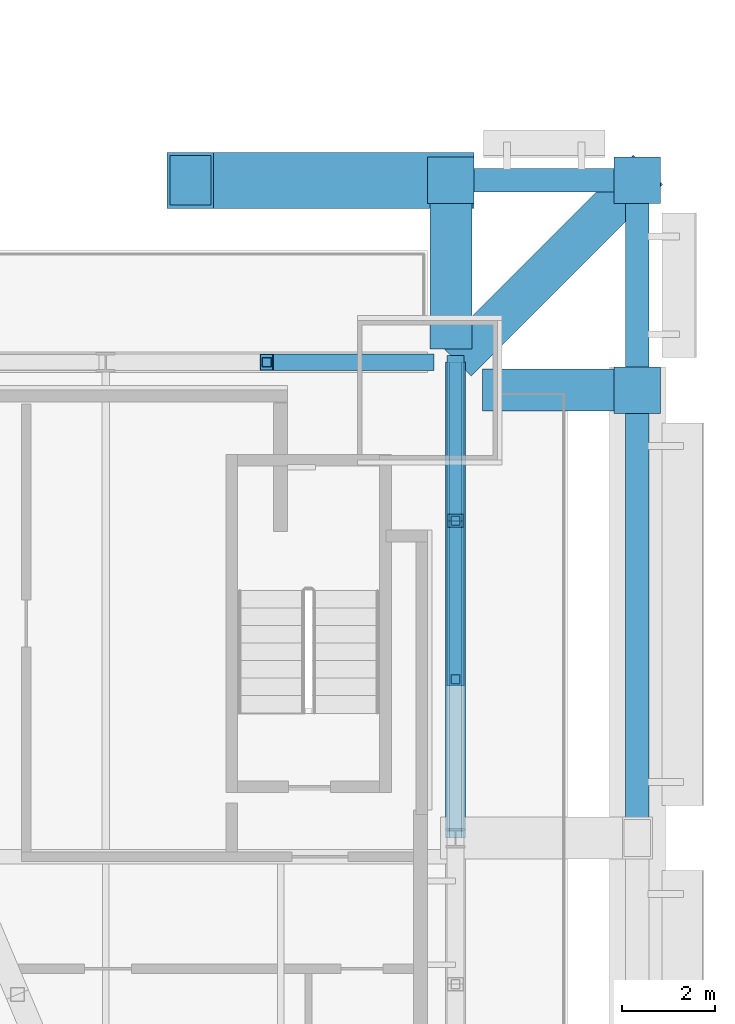
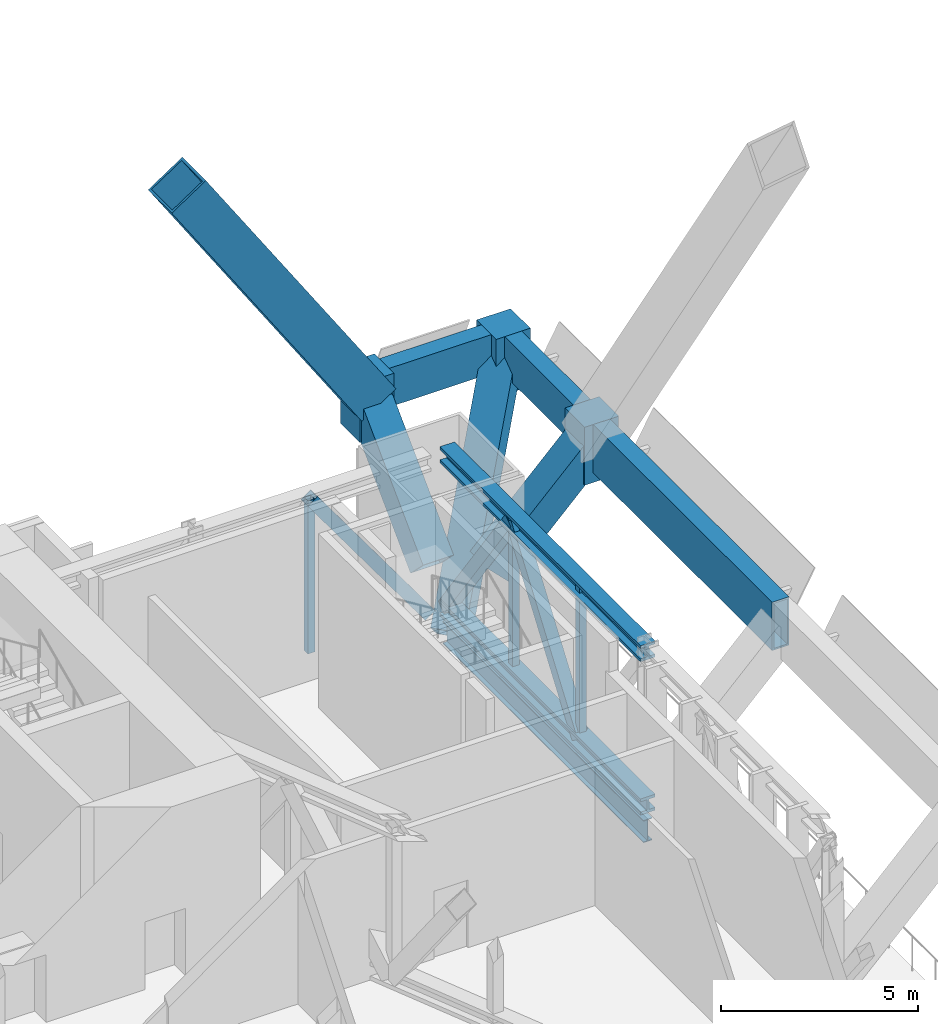
# One storey, part 20 of 32: 15 members, 4 beams.
"""IFC4 building model written with IfcOpenShell, lengths in metres."""

from ifc_helpers import new_model, si_unit, direction, frame, origin, origin_2d, place, context, subcontext, project, spatial, rectangle, hollow_rectangle, i_section, extrude, material, material_profile, profile_set, type_object, element, save


model = new_model("IFC4")

# Units and contexts
model_context = context("Model", 3, precision=1e-05, world=origin(), true_north=direction((0.0, 1.0)))
body_context = subcontext(model_context, "Body", "Model", "MODEL_VIEW")
ifc_project = project(units=[si_unit("LENGTHUNIT", "METRE"), si_unit("AREAUNIT", "SQUARE_METRE"), si_unit("VOLUMEUNIT", "CUBIC_METRE"), si_unit("PLANEANGLEUNIT", "RADIAN"), si_unit("MASSUNIT", "GRAM", prefix="KILO")], contexts=[model_context])

# Site, building, storey
site_placement = place(None, origin())
site = spatial("IfcSite", under=ifc_project, at=site_placement, CompositionType="ELEMENT")
building_placement = place(site_placement, origin())
building = spatial("IfcBuilding", under=site, at=building_placement, Name="Bicima Exchange Tower", CompositionType="ELEMENT")
storey_placement = place(building_placement, frame((0.0, 0.0, 84.5)))
storey = spatial("IfcBuildingStorey", under=building, at=storey_placement, Name="L17", CompositionType="ELEMENT", Elevation=84.5)

# Beams
ifc_material_1 = material(Name="Steel ASTM A572 Gr 50", Category="steel")
ifc_material_profile_1 = material_profile(ifc_material_1, hollow_rectangle(XDim=0.5, YDim=1.199951171875, WallThickness=0.0400390625, at=origin_2d()))
ifc_profile_set_1 = profile_set([ifc_material_profile_1], Name="Steel ASTM A572 Gr 50")
beam_type_1 = type_object("IfcBeamType", Name="Belt girder BOX 500x1200x40", PredefinedType="BEAM", material=ifc_profile_set_1)
beam_1_placement = place(storey_placement, frame((37.5, -3.0, 4.64990234375), z_axis=(0.0, 1.0, 0.0), x_axis=(-1.0, 0.0, 0.0)))
element("IfcBeam", 1, at=beam_1_placement, inside=storey, type_object=beam_type_1, Name="Belt girder", PredefinedType="BEAM", context=body_context, shape_type="SweptSolid", body=[
    extrude(hollow_rectangle(XDim=0.5, YDim=1.199951171875, WallThickness=0.0400390625, at=origin_2d()), origin(), (0.0, 0.0, 1.0), 4.5),
])
beam_2_placement = place(storey_placement, frame((37.5, 1.5, 4.64990234375), z_axis=(-1.0, 0.0, 0.0), x_axis=(0.0, -1.0, 0.0)))
element("IfcBeam", 2, at=beam_2_placement, inside=storey, type_object=beam_type_1, Name="Belt girder", PredefinedType="BEAM", context=body_context, shape_type="SweptSolid", body=[
    extrude(hollow_rectangle(XDim=0.5, YDim=1.199951171875, WallThickness=0.0400390625, at=origin_2d()), origin(), (0.0, 0.0, 1.0), 4.0),
])
ifc_material_profile_2 = material_profile(ifc_material_1, hollow_rectangle(XDim=0.5, YDim=1.5, WallThickness=0.050048828125, at=origin_2d()))
ifc_profile_set_2 = profile_set([ifc_material_profile_2], Name="Steel ASTM A572 Gr 50")
beam_type_2 = type_object("IfcBeamType", Name="Belt girder BOX 500x1500x50", PredefinedType="BEAM", material=ifc_profile_set_2)
beam_3_placement = place(storey_placement, frame((37.5, -12.60009765625, 4.5), z_axis=(0.0, 1.0, 0.0), x_axis=(-1.0, 0.0, 0.0)))
element("IfcBeam", 3, at=beam_3_placement, inside=storey, type_object=beam_type_2, Name="Belt girder", PredefinedType="BEAM", context=body_context, shape_type="SweptSolid", body=[
    extrude(hollow_rectangle(XDim=0.5, YDim=1.5, WallThickness=0.050048828125, at=origin_2d()), origin(), (0.0, 0.0, 1.0), 9.60009765625),
])

# Members
ifc_material_2 = material(Name="Steel ASTM A992 Gr 50", Category="steel")
ifc_material_profile_3 = material_profile(ifc_material_2, i_section(OverallWidth=0.431884765625, OverallDepth=0.497802734375, WebThickness=0.0556640625, FlangeThickness=0.0888671875, at=origin_2d()))
ifc_profile_set_3 = profile_set([ifc_material_profile_3], Name="Steel ASTM A992 Gr 50")
member_type_1 = type_object("IfcMemberType", Name="Belt truss chord W14x500", PredefinedType="CHORD", material=ifc_profile_set_3)
for number, where, z_axis, x_axis, name in (
    (4, (33.60009765625, -2.39990234375, 5.001220703125), (0.0, -1.0, 0.0), (1.0, 0.0, 0.0), "Top chord"),
    (5, (33.60009765625, -2.39990234375, 0.248779296875), (0.0, -1.0, 0.0), (1.0, 0.0, 0.0), "Bottom chord"),
):
    element("IfcMember", number, at=place(storey_placement, frame(where, z_axis=z_axis, x_axis=x_axis)), inside=storey, type_object=member_type_1, Name=name, PredefinedType="CHORD", context=body_context, shape_type="SweptSolid", body=[
        extrude(i_section(OverallWidth=0.431884765625, OverallDepth=0.497802734375, WebThickness=0.0556640625, FlangeThickness=0.0888671875, at=origin_2d()), origin(), (0.0, 0.0, 1.0), 10.2001953125),
    ])
ifc_material_profile_4 = material_profile(ifc_material_1, hollow_rectangle(XDim=0.355712890625, YDim=0.355712890625, WallThickness=0.0146484375, at=origin_2d()))
ifc_profile_set_4 = profile_set([ifc_material_profile_4], Name="Steel ASTM A572 Gr 50")
member_type_2 = type_object("IfcMemberType", Name="Belt truss diagonal HSS14x14x5/8", PredefinedType="STRUT", material=ifc_profile_set_4)
member_1_placement = place(storey_placement, frame((29.550048828125, -2.39990234375, 5.001220703125), z_axis=(0.587462041023, 0.0, -0.809251722493), x_axis=(0.0, 1.0, 0.0)))
element("IfcMember", 6, at=member_1_placement, inside=storey, type_object=member_type_2, Name="Truss diagonal", PredefinedType="STRUT", context=body_context, shape_type="SweptSolid", body=[
    extrude(hollow_rectangle(XDim=0.355712890625, YDim=0.355712890625, WallThickness=0.0146484375, at=origin_2d()), origin(), (0.0, 0.0, 1.0), 5.87255859375),
])
member_2_placement = place(storey_placement, frame((33.60009765625, -2.39990234375, 0.248779296875), z_axis=(0.0, -0.581866410253, 0.813284378688), x_axis=(1.0, 0.0, 0.0)))
element("IfcMember", 7, at=member_2_placement, inside=storey, type_object=member_type_2, Name="Truss diagonal", PredefinedType="STRUT", context=body_context, shape_type="SweptSolid", body=[
    extrude(hollow_rectangle(XDim=0.355712890625, YDim=0.355712890625, WallThickness=0.0146484375, at=origin_2d()), origin(), (0.0, 0.0, 1.0), 5.843505859375),
])
member_3_placement = place(storey_placement, frame((33.60009765625, -5.800048828125, 5.001220703125), z_axis=(0.0, -0.581838774812, -0.813304149827), x_axis=(1.0, 0.0, 0.0)))
element("IfcMember", 8, at=member_3_placement, inside=storey, type_object=member_type_2, Name="Truss diagonal", PredefinedType="STRUT", context=body_context, shape_type="SweptSolid", body=[
    extrude(hollow_rectangle(XDim=0.355712890625, YDim=0.355712890625, WallThickness=0.0146484375, at=origin_2d()), origin(), (0.0, 0.0, 1.0), 5.84326171875),
])
ifc_material_profile_5 = material_profile(ifc_material_1, hollow_rectangle(XDim=0.203125, YDim=0.203125, WallThickness=0.01171875, at=origin_2d()))
ifc_profile_set_5 = profile_set([ifc_material_profile_5], Name="Steel ASTM A572 Gr 50")
member_type_3 = type_object("IfcMemberType", Name="Belt truss post HSS8x8x1/2", PredefinedType="POST", material=ifc_profile_set_5)
for number, where, z_axis, x_axis, name in (
    (9, (29.550048828125, -2.39990234375, 0.248779296875), (0.0, 0.0, 1.0), (1.0, 0.0, 0.0), "Truss post"),
    (10, (33.60009765625, -5.800048828125, 0.248779296875), (0.0, 0.0, 1.0), (1.0, 0.0, 0.0), "Truss post"),
    (11, (33.60009765625, -9.199951171875, 0.248779296875), (0.0, 0.0, 1.0), (1.0, 0.0, 0.0), "Truss post"),
):
    element("IfcMember", number, at=place(storey_placement, frame(where, z_axis=z_axis, x_axis=x_axis)), inside=storey, type_object=member_type_3, Name=name, PredefinedType="POST", context=body_context, shape_type="SweptSolid", body=[
        extrude(hollow_rectangle(XDim=0.203125, YDim=0.203125, WallThickness=0.01171875, at=origin_2d()), origin(), (0.0, 0.0, 1.0), 4.75244140625),
    ])

# Beam
ifc_material_profile_6 = material_profile(ifc_material_2, i_section(OverallWidth=0.256591796875, OverallDepth=0.693359375, WebThickness=0.014404296875, FlangeThickness=0.023681640625, at=origin_2d()))
ifc_profile_set_6 = profile_set([ifc_material_profile_6], Name="Steel ASTM A992 Gr 50")
beam_type_3 = type_object("IfcBeamType", Name="End girder W27x114", PredefinedType="BEAM", material=ifc_profile_set_6)
beam_4_placement = place(storey_placement, frame((33.60009765625, -2.39990234375, -0.546630859375), z_axis=(0.0, -1.0, 0.0), x_axis=(1.0, 0.0, 0.0)))
element("IfcBeam", 12, at=beam_4_placement, inside=storey, type_object=beam_type_3, Name="End girder", PredefinedType="BEAM", context=body_context, shape_type="SweptSolid", body=[
    extrude(i_section(OverallWidth=0.256591796875, OverallDepth=0.693359375, WebThickness=0.014404296875, FlangeThickness=0.023681640625, at=origin_2d()), origin(), (0.0, 0.0, 1.0), 10.2001953125),
])

# Members
ifc_material_profile_7 = material_profile(ifc_material_1, hollow_rectangle(XDim=1.199951171875, YDim=1.199951171875, WallThickness=0.070068359375, at=origin_2d()))
ifc_profile_set_7 = profile_set([ifc_material_profile_7], Name="Steel ASTM A572 Gr 50")
member_type_4 = type_object("IfcMemberType", Name="Exo mega brace BOX 1200x1200x70", PredefinedType="BRACE", material=ifc_profile_set_7)
member_4_placement = place(storey_placement, frame((33.5, 1.5, 4.5), z_axis=(-0.552785436873, 0.0, 0.833323623079), x_axis=(0.0, -1.0, 0.0)))
element("IfcMember", 13, at=member_4_placement, inside=storey, type_object=member_type_4, Name="Exo mega brace rear", PredefinedType="BRACE", context=body_context, shape_type="SweptSolid", body=[
    extrude(hollow_rectangle(XDim=1.199951171875, YDim=1.199951171875, WallThickness=0.070068359375, at=origin_2d()), origin(), (0.0, 0.0, 1.0), 10.10009765625),
])
ifc_material_3 = material(Name="Cast steel ASTM A216 Gr WCB", Category="steel")
ifc_material_profile_8 = material_profile(ifc_material_3, rectangle(XDim=1.0, YDim=1.0, at=origin_2d()))
ifc_profile_set_8 = profile_set([ifc_material_profile_8], Name="Cast steel ASTM A216 Gr WCB")
member_type_5 = type_object("IfcMemberType", Name="Exo node block", PredefinedType="POST", material=ifc_profile_set_8)
for number, where, z_axis, x_axis, name in (
    (14, (37.5, -3.0, 3.449951171875), (0.0, 0.0, 1.0), (1.0, 0.0, 0.0), "Exo node block"),
    (15, (37.5, 1.5, 3.449951171875), (0.0, 0.0, 1.0), (1.0, 0.0, 0.0), "Exo node block"),
    (16, (33.5, 1.5, 3.449951171875), (0.0, 0.0, 1.0), (1.0, 0.0, 0.0), "Exo node block"),
):
    element("IfcMember", number, at=place(storey_placement, frame(where, z_axis=z_axis, x_axis=x_axis)), inside=storey, type_object=member_type_5, Name=name, PredefinedType="POST", context=body_context, shape_type="SweptSolid", body=[
        extrude(rectangle(XDim=1.0, YDim=1.0, at=origin_2d()), origin(), (0.0, 0.0, 1.0), 1.800048828125),
    ])
ifc_material_profile_9 = material_profile(ifc_material_1, hollow_rectangle(XDim=0.89990234375, YDim=0.89990234375, WallThickness=0.050048828125, at=origin_2d()))
ifc_profile_set_9 = profile_set([ifc_material_profile_9], Name="Steel ASTM A572 Gr 50")
member_type_6 = type_object("IfcMemberType", Name="Exo outrigger stub BOX 900x900x50", PredefinedType="STRUT", material=ifc_profile_set_9)
member_5_placement = place(storey_placement, frame((34.5, -3.0, 1.5), z_axis=(0.707106781187, 0.0, 0.707106781187), x_axis=(0.0, 1.0, 0.0)))
element("IfcMember", 17, at=member_5_placement, inside=storey, type_object=member_type_6, Name="Exo outrigger stub", PredefinedType="STRUT", context=body_context, shape_type="SweptSolid", body=[
    extrude(hollow_rectangle(XDim=0.89990234375, YDim=0.89990234375, WallThickness=0.050048828125, at=origin_2d()), origin(), (0.0, 0.0, 1.0), 4.24267578125),
])
member_6_placement = place(storey_placement, frame((33.848388671875, -2.151611328125, -0.864013671875), z_axis=(0.490420188057, 0.490420188057, 0.72039994329), x_axis=(-0.707106781187, 0.707106781187, 0.0)))
element("IfcMember", 18, at=member_6_placement, inside=storey, type_object=member_type_6, Name="Exo outrigger stub", PredefinedType="STRUT", context=body_context, shape_type="SweptSolid", body=[
    extrude(hollow_rectangle(XDim=0.89990234375, YDim=0.89990234375, WallThickness=0.050048828125, at=origin_2d()), origin(), (0.0, 0.0, 1.0), 7.44580078125),
])
member_7_placement = place(storey_placement, frame((33.5, -1.800048828125, 1.199951171875), z_axis=(0.0, 0.707106781187, 0.707106781187), x_axis=(-1.0, 0.0, 0.0)))
element("IfcMember", 19, at=member_7_placement, inside=storey, type_object=member_type_6, Name="Exo outrigger stub", PredefinedType="STRUT", context=body_context, shape_type="SweptSolid", body=[
    extrude(hollow_rectangle(XDim=0.89990234375, YDim=0.89990234375, WallThickness=0.050048828125, at=origin_2d()), origin(), (0.0, 0.0, 1.0), 4.6669921875),
])

save(model, "model.ifc")
